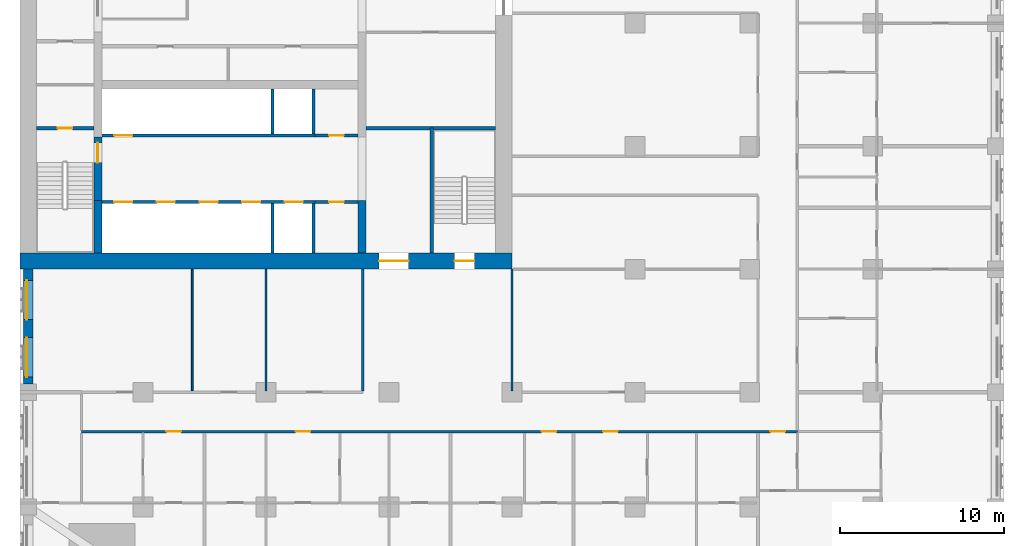
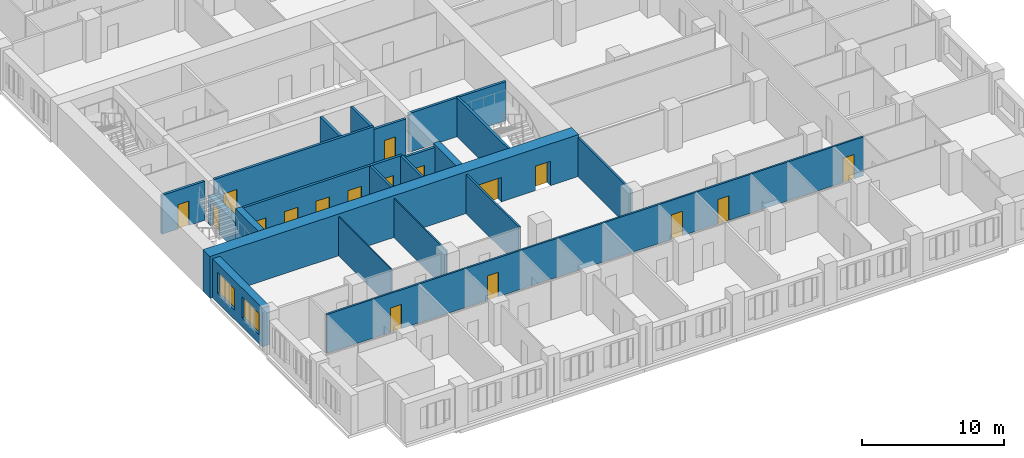
# One storey, part 5 of 14: 21 walls, 17 doors, 2 windows, 19 openings.
"""IFC4 building model written with IfcOpenShell, lengths in metres."""

from ifc_helpers import new_model, si_unit, direction, frame, frame_2d, origin, place, context, subcontext, project, spatial, rectangle, extrude, material, layer, layer_set, type_object, element, fill, save


model = new_model("IFC4")

# Units and contexts
model_context = context("Model", 3, precision=1e-05, world=origin(), true_north=direction((0.0, 1.0)))
body_context = subcontext(model_context, "Body", "Model", "MODEL_VIEW")
ifc_project = project(units=[si_unit("LENGTHUNIT", "METRE"), si_unit("AREAUNIT", "SQUARE_METRE"), si_unit("VOLUMEUNIT", "CUBIC_METRE"), si_unit("PLANEANGLEUNIT", "RADIAN"), si_unit("MASSUNIT", "GRAM", prefix="KILO")], contexts=[model_context])

# Site, building, storey
site_placement = place(None, origin())
site = spatial("IfcSite", under=ifc_project, at=site_placement, CompositionType="ELEMENT")
building_placement = place(site_placement, origin())
building = spatial("IfcBuilding", under=site, at=building_placement, Name="Tamorin Gate", CompositionType="ELEMENT")
storey_placement = place(building_placement, frame((0.0, 0.0, 41.199951171875)))
storey = spatial("IfcBuildingStorey", under=building, at=storey_placement, Name="L08", CompositionType="ELEMENT", Elevation=41.199951171875)

# Wall, openings, windows
ifc_material_1 = material(Name="Precast concrete C40/50", Category="concrete")
ifc_layer_1 = layer(ifc_material_1, 0.60009765625)
ifc_layer_set_1 = layer_set([ifc_layer_1], Name="Precast concrete C40/50")
wall_type_1 = type_object("IfcWallType", Name="Board-marked concrete facade panel 600", PredefinedType="SOLIDWALL", material=ifc_layer_set_1)
wall_1_placement = place(storey_placement, frame((30.5, 60.0, 0.0), z_axis=(0.0, 0.0, 1.0), x_axis=(0.0, -1.0, 0.0)))
wall_1 = element("IfcWall", 1, at=wall_1_placement, inside=storey, type_object=wall_type_1, Name="Facade panel", PredefinedType="SOLIDWALL", context=body_context, shape_type="SweptSolid", body=[
    extrude(rectangle(XDim=7.0, YDim=0.60009765625, at=frame_2d((3.5, 0.0))), origin(), (0.0, 0.0, 1.0), 3.35009765625),
])
opening_1_placement = place(wall_1_placement, frame((4.175048828125, 0.0, 0.800048828125)))
opening_1 = element("IfcOpeningElement", 2, at=opening_1_placement, cuts=wall_1, Name="Opening WN1", PredefinedType="OPENING", context=body_context, shape_type="SweptSolid", body=[
    extrude(rectangle(XDim=2.39990234375, YDim=1.800048828125, at=frame_2d((1.199951171875, 0.89990234375))), frame((0.0, 0.31005859375, 0.0), z_axis=(0.0, -1.0, 0.0), x_axis=(1.0, 0.0, 0.0)), (0.0, 0.0, 1.0), 0.6201171875),
])
opening_2_placement = place(wall_1_placement, frame((0.675048828125, 0.0, 0.800048828125)))
opening_2 = element("IfcOpeningElement", 3, at=opening_2_placement, cuts=wall_1, Name="Opening WN1", PredefinedType="OPENING", context=body_context, shape_type="SweptSolid", body=[
    extrude(rectangle(XDim=2.39990234375, YDim=1.800048828125, at=frame_2d((1.199951171875, 0.89990234375))), frame((0.0, 0.31005859375, 0.0), z_axis=(0.0, -1.0, 0.0), x_axis=(1.0, 0.0, 0.0)), (0.0, 0.0, 1.0), 0.6201171875),
])
ifc_material_2 = material(Name="Clear glass in aluminium frame", Category="aluminium")
window_type = type_object("IfcWindowType", Name="Deep-set window 2400x1800", PartitioningType="SINGLE_PANEL", PredefinedType="WINDOW", material=ifc_material_2)
window_1_placement = place(opening_1_placement, origin())
window_1 = element("IfcWindow", 4, at=window_1_placement, inside=storey, type_object=window_type, Name="Deep-set window", OverallHeight=1.800048828125, OverallWidth=2.39990234375, PartitioningType="SINGLE_PANEL", PredefinedType="WINDOW", context=body_context, shape_type="SweptSolid", body=[
    extrude(rectangle(XDim=2.39990234375, YDim=1.800048828125, at=frame_2d((1.199951171875, 0.89990234375))), frame((0.0, -0.070068359375, 0.0), z_axis=(0.0, -1.0, 0.0), x_axis=(1.0, 0.0, 0.0)), (0.0, 0.0, 1.0), 0.06005859375),
])
fill(opening_1, window_1)
window_2_placement = place(opening_2_placement, origin())
window_2 = element("IfcWindow", 5, at=window_2_placement, inside=storey, type_object=window_type, Name="Deep-set window", OverallHeight=1.800048828125, OverallWidth=2.39990234375, PartitioningType="SINGLE_PANEL", PredefinedType="WINDOW", context=body_context, shape_type="SweptSolid", body=[
    extrude(rectangle(XDim=2.39990234375, YDim=1.800048828125, at=frame_2d((1.199951171875, 0.89990234375))), frame((0.0, -0.070068359375, 0.0), z_axis=(0.0, -1.0, 0.0), x_axis=(1.0, 0.0, 0.0)), (0.0, 0.0, 1.0), 0.06005859375),
])
fill(opening_2, window_2)

# Wall, openings, doors
ifc_material_3 = material(Name="Gypsum board partition")
ifc_layer_2 = layer(ifc_material_3, 0.14990234375)
ifc_layer_set_2 = layer_set([ifc_layer_2], Name="Corridor wall 150")
wall_type_2 = type_object("IfcWallType", Name="Corridor wall 150", PredefinedType="PARTITIONING", material=ifc_layer_set_2)
wall_2_placement = place(storey_placement, frame((33.75, 50.10009765625, 0.0), z_axis=(0.0, 0.0, 1.0), x_axis=(1.0, 0.0, 0.0)))
wall_2 = element("IfcWall", 6, at=wall_2_placement, inside=storey, type_object=wall_type_2, Name="Corridor wall 150", PredefinedType="PARTITIONING", context=body_context, shape_type="SweptSolid", body=[
    extrude(rectangle(XDim=43.64990234375, YDim=0.14990234375, at=frame_2d((21.824951171875, 0.0))), origin(), (0.0, 0.0, 1.0), 3.35009765625),
])
opening_3_placement = place(wall_2_placement, frame((5.175048828125, 0.0, 0.0)))
opening_3 = element("IfcOpeningElement", 7, at=opening_3_placement, cuts=wall_2, Name="Opening DH3003", PredefinedType="OPENING", context=body_context, shape_type="SweptSolid", body=[
    extrude(rectangle(XDim=0.89990234375, YDim=2.10009765625, at=frame_2d((0.449951171875, 1.050048828125))), frame((0.0, 0.0849609375, 0.0), z_axis=(0.0, -1.0, 0.0), x_axis=(1.0, 0.0, 0.0)), (0.0, 0.0, 1.0), 0.169921875),
])
opening_4_placement = place(wall_2_placement, frame((13.050048828125, 0.0, 0.0)))
opening_4 = element("IfcOpeningElement", 8, at=opening_4_placement, cuts=wall_2, Name="Opening DH3006", PredefinedType="OPENING", context=body_context, shape_type="SweptSolid", body=[
    extrude(rectangle(XDim=0.89990234375, YDim=2.10009765625, at=frame_2d((0.449951171875, 1.050048828125))), frame((0.0, 0.0849609375, 0.0), z_axis=(0.0, -1.0, 0.0), x_axis=(1.0, 0.0, 0.0)), (0.0, 0.0, 1.0), 0.169921875),
])
opening_5_placement = place(wall_2_placement, frame((28.050048828125, 0.0, 0.0)))
opening_5 = element("IfcOpeningElement", 9, at=opening_5_placement, cuts=wall_2, Name="Opening DH3013", PredefinedType="OPENING", context=body_context, shape_type="SweptSolid", body=[
    extrude(rectangle(XDim=0.89990234375, YDim=2.10009765625, at=frame_2d((0.449951171875, 1.050048828125))), frame((0.0, 0.0849609375, 0.0), z_axis=(0.0, -1.0, 0.0), x_axis=(1.0, 0.0, 0.0)), (0.0, 0.0, 1.0), 0.169921875),
])
opening_6_placement = place(wall_2_placement, frame((31.800048828125, 0.0, 0.0)))
opening_6 = element("IfcOpeningElement", 10, at=opening_6_placement, cuts=wall_2, Name="Opening DH3015", PredefinedType="OPENING", context=body_context, shape_type="SweptSolid", body=[
    extrude(rectangle(XDim=0.89990234375, YDim=2.10009765625, at=frame_2d((0.449951171875, 1.050048828125))), frame((0.0, 0.0849609375, 0.0), z_axis=(0.0, -1.0, 0.0), x_axis=(1.0, 0.0, 0.0)), (0.0, 0.0, 1.0), 0.169921875),
])
opening_7_placement = place(wall_2_placement, frame((42.0, 0.0, 0.0)))
opening_7 = element("IfcOpeningElement", 11, at=opening_7_placement, cuts=wall_2, Name="Opening DH3061", PredefinedType="OPENING", context=body_context, shape_type="SweptSolid", body=[
    extrude(rectangle(XDim=0.89990234375, YDim=2.10009765625, at=frame_2d((0.449951171875, 1.050048828125))), frame((0.0, 0.0849609375, 0.0), z_axis=(0.0, -1.0, 0.0), x_axis=(1.0, 0.0, 0.0)), (0.0, 0.0, 1.0), 0.169921875),
])
ifc_material_4 = material(Name="Timber door leaf", Category="wood")
door_type_1 = type_object("IfcDoorType", Name="Door 900 x 2100 FD30S", OperationType="NOTDEFINED", PredefinedType="DOOR", material=ifc_material_4)
door_1_placement = place(opening_3_placement, origin())
door_1 = element("IfcDoor", 12, at=door_1_placement, inside=storey, type_object=door_type_1, Name="Door DH3003", OperationType="SINGLE_SWING_RIGHT", OverallHeight=2.10009765625, OverallWidth=0.89990234375, PredefinedType="DOOR", context=body_context, shape_type="SweptSolid", body=[
    extrude(rectangle(XDim=0.89990234375, YDim=2.10009765625, at=frame_2d((0.449951171875, 1.050048828125))), frame((0.0, 0.02490234375, 0.0), z_axis=(0.0, -1.0, 0.0), x_axis=(1.0, 0.0, 0.0)), (0.0, 0.0, 1.0), 0.050048828125),
])
fill(opening_3, door_1)
door_2_placement = place(opening_4_placement, origin())
door_2 = element("IfcDoor", 13, at=door_2_placement, inside=storey, type_object=door_type_1, Name="Door DH3006", OperationType="SINGLE_SWING_RIGHT", OverallHeight=2.10009765625, OverallWidth=0.89990234375, PredefinedType="DOOR", context=body_context, shape_type="SweptSolid", body=[
    extrude(rectangle(XDim=0.89990234375, YDim=2.10009765625, at=frame_2d((0.449951171875, 1.050048828125))), frame((0.0, 0.02490234375, 0.0), z_axis=(0.0, -1.0, 0.0), x_axis=(1.0, 0.0, 0.0)), (0.0, 0.0, 1.0), 0.050048828125),
])
fill(opening_4, door_2)
door_3_placement = place(opening_5_placement, origin())
door_3 = element("IfcDoor", 14, at=door_3_placement, inside=storey, type_object=door_type_1, Name="Door DH3013", OperationType="SINGLE_SWING_RIGHT", OverallHeight=2.10009765625, OverallWidth=0.89990234375, PredefinedType="DOOR", context=body_context, shape_type="SweptSolid", body=[
    extrude(rectangle(XDim=0.89990234375, YDim=2.10009765625, at=frame_2d((0.449951171875, 1.050048828125))), frame((0.0, 0.02490234375, 0.0), z_axis=(0.0, -1.0, 0.0), x_axis=(1.0, 0.0, 0.0)), (0.0, 0.0, 1.0), 0.050048828125),
])
fill(opening_5, door_3)
door_4_placement = place(opening_6_placement, origin())
door_4 = element("IfcDoor", 15, at=door_4_placement, inside=storey, type_object=door_type_1, Name="Door DH3015", OperationType="SINGLE_SWING_RIGHT", OverallHeight=2.10009765625, OverallWidth=0.89990234375, PredefinedType="DOOR", context=body_context, shape_type="SweptSolid", body=[
    extrude(rectangle(XDim=0.89990234375, YDim=2.10009765625, at=frame_2d((0.449951171875, 1.050048828125))), frame((0.0, 0.02490234375, 0.0), z_axis=(0.0, -1.0, 0.0), x_axis=(1.0, 0.0, 0.0)), (0.0, 0.0, 1.0), 0.050048828125),
])
fill(opening_6, door_4)
door_5_placement = place(opening_7_placement, origin())
door_5 = element("IfcDoor", 16, at=door_5_placement, inside=storey, type_object=door_type_1, Name="Door DH3061", OperationType="SINGLE_SWING_LEFT", OverallHeight=2.10009765625, OverallWidth=0.89990234375, PredefinedType="DOOR", context=body_context, shape_type="SweptSolid", body=[
    extrude(rectangle(XDim=0.89990234375, YDim=2.10009765625, at=frame_2d((0.449951171875, 1.050048828125))), frame((0.0, 0.02490234375, 0.0), z_axis=(0.0, -1.0, 0.0), x_axis=(1.0, 0.0, 0.0)), (0.0, 0.0, 1.0), 0.050048828125),
])
fill(opening_7, door_5)

ifc_material_5 = material(Name="Concrete C32/40", Category="concrete")
ifc_layer_3 = layer(ifc_material_5, 0.199951171875)
ifc_layer_set_3 = layer_set([ifc_layer_3], Name="Lift lobby face wall 200 EI 120")
wall_type_3 = type_object("IfcWallType", Name="Lift lobby face wall 200 EI 120", PredefinedType="SOLIDWALL", material=ifc_layer_set_3)
wall_3_placement = place(storey_placement, frame((35.0, 64.10009765625, 0.0), z_axis=(0.0, 0.0, 1.0), x_axis=(1.0, 0.0, 0.0)))
wall_3 = element("IfcWall", 17, at=wall_3_placement, inside=storey, type_object=wall_type_3, Name="Lift lobby face wall", PredefinedType="SOLIDWALL", context=body_context, shape_type="SweptSolid", body=[
    extrude(rectangle(XDim=13.0, YDim=0.199951171875, at=frame_2d((6.5, 0.0))), origin(), (0.0, 0.0, 1.0), 3.60009765625),
])
opening_8_placement = place(wall_3_placement, frame((0.75, 0.0, 0.0)))
opening_8 = element("IfcOpeningElement", 18, at=opening_8_placement, cuts=wall_3, Name="Opening LD1", PredefinedType="OPENING", context=body_context, shape_type="SweptSolid", body=[
    extrude(rectangle(XDim=1.10009765625, YDim=2.10009765625, at=frame_2d((0.550048828125, 1.050048828125))), frame((0.0, 0.10986328125, 0.0), z_axis=(0.0, -1.0, 0.0), x_axis=(1.0, 0.0, 0.0)), (0.0, 0.0, 1.0), 0.219970703125),
])
opening_9_placement = place(wall_3_placement, frame((3.35009765625, 0.0, 0.0)))
opening_9 = element("IfcOpeningElement", 19, at=opening_9_placement, cuts=wall_3, Name="Opening LD2", PredefinedType="OPENING", context=body_context, shape_type="SweptSolid", body=[
    extrude(rectangle(XDim=1.10009765625, YDim=2.10009765625, at=frame_2d((0.550048828125, 1.050048828125))), frame((0.0, 0.10986328125, 0.0), z_axis=(0.0, -1.0, 0.0), x_axis=(1.0, 0.0, 0.0)), (0.0, 0.0, 1.0), 0.219970703125),
])
opening_10_placement = place(wall_3_placement, frame((5.949951171875, 0.0, 0.0)))
opening_10 = element("IfcOpeningElement", 20, at=opening_10_placement, cuts=wall_3, Name="Opening LD3", PredefinedType="OPENING", context=body_context, shape_type="SweptSolid", body=[
    extrude(rectangle(XDim=1.10009765625, YDim=2.10009765625, at=frame_2d((0.550048828125, 1.050048828125))), frame((0.0, 0.10986328125, 0.0), z_axis=(0.0, -1.0, 0.0), x_axis=(1.0, 0.0, 0.0)), (0.0, 0.0, 1.0), 0.219970703125),
])
opening_11_placement = place(wall_3_placement, frame((8.550048828125, 0.0, 0.0)))
opening_11 = element("IfcOpeningElement", 21, at=opening_11_placement, cuts=wall_3, Name="Opening LD4", PredefinedType="OPENING", context=body_context, shape_type="SweptSolid", body=[
    extrude(rectangle(XDim=1.10009765625, YDim=2.10009765625, at=frame_2d((0.550048828125, 1.050048828125))), frame((0.0, 0.10986328125, 0.0), z_axis=(0.0, -1.0, 0.0), x_axis=(1.0, 0.0, 0.0)), (0.0, 0.0, 1.0), 0.219970703125),
])
opening_12_placement = place(wall_3_placement, frame((11.14990234375, 0.0, 0.0)))
opening_12 = element("IfcOpeningElement", 22, at=opening_12_placement, cuts=wall_3, Name="Opening LD5", PredefinedType="OPENING", context=body_context, shape_type="SweptSolid", body=[
    extrude(rectangle(XDim=1.10009765625, YDim=2.10009765625, at=frame_2d((0.550048828125, 1.050048828125))), frame((0.0, 0.10986328125, 0.0), z_axis=(0.0, -1.0, 0.0), x_axis=(1.0, 0.0, 0.0)), (0.0, 0.0, 1.0), 0.219970703125),
])
ifc_material_6 = material(Name="Stainless steel sliding door", Category="steel")
door_type_2 = type_object("IfcDoorType", Name="Lift landing door 1100 x 2100 E 90", OperationType="DOUBLE_DOOR_SLIDING", PredefinedType="DOOR", material=ifc_material_6)
door_6_placement = place(opening_8_placement, origin())
door_6 = element("IfcDoor", 23, at=door_6_placement, inside=storey, type_object=door_type_2, Name="LR1 landing door", OperationType="DOUBLE_DOOR_SLIDING", OverallHeight=2.10009765625, OverallWidth=1.10009765625, PredefinedType="DOOR", context=body_context, shape_type="SweptSolid", body=[
    extrude(rectangle(XDim=1.10009765625, YDim=2.10009765625, at=frame_2d((0.550048828125, 1.050048828125))), frame((0.0, 0.02490234375, 0.0), z_axis=(0.0, -1.0, 0.0), x_axis=(1.0, 0.0, 0.0)), (0.0, 0.0, 1.0), 0.050048828125),
])
fill(opening_8, door_6)
door_7_placement = place(opening_9_placement, origin())
door_7 = element("IfcDoor", 24, at=door_7_placement, inside=storey, type_object=door_type_2, Name="LR2 landing door", OperationType="DOUBLE_DOOR_SLIDING", OverallHeight=2.10009765625, OverallWidth=1.10009765625, PredefinedType="DOOR", context=body_context, shape_type="SweptSolid", body=[
    extrude(rectangle(XDim=1.10009765625, YDim=2.10009765625, at=frame_2d((0.550048828125, 1.050048828125))), frame((0.0, 0.02490234375, 0.0), z_axis=(0.0, -1.0, 0.0), x_axis=(1.0, 0.0, 0.0)), (0.0, 0.0, 1.0), 0.050048828125),
])
fill(opening_9, door_7)
door_8_placement = place(opening_10_placement, origin())
door_8 = element("IfcDoor", 25, at=door_8_placement, inside=storey, type_object=door_type_2, Name="LR3 landing door", OperationType="DOUBLE_DOOR_SLIDING", OverallHeight=2.10009765625, OverallWidth=1.10009765625, PredefinedType="DOOR", context=body_context, shape_type="SweptSolid", body=[
    extrude(rectangle(XDim=1.10009765625, YDim=2.10009765625, at=frame_2d((0.550048828125, 1.050048828125))), frame((0.0, 0.02490234375, 0.0), z_axis=(0.0, -1.0, 0.0), x_axis=(1.0, 0.0, 0.0)), (0.0, 0.0, 1.0), 0.050048828125),
])
fill(opening_10, door_8)
door_9_placement = place(opening_11_placement, origin())
door_9 = element("IfcDoor", 26, at=door_9_placement, inside=storey, type_object=door_type_2, Name="LR4 landing door", OperationType="DOUBLE_DOOR_SLIDING", OverallHeight=2.10009765625, OverallWidth=1.10009765625, PredefinedType="DOOR", context=body_context, shape_type="SweptSolid", body=[
    extrude(rectangle(XDim=1.10009765625, YDim=2.10009765625, at=frame_2d((0.550048828125, 1.050048828125))), frame((0.0, 0.02490234375, 0.0), z_axis=(0.0, -1.0, 0.0), x_axis=(1.0, 0.0, 0.0)), (0.0, 0.0, 1.0), 0.050048828125),
])
fill(opening_11, door_9)
door_10_placement = place(opening_12_placement, origin())
door_10 = element("IfcDoor", 27, at=door_10_placement, inside=storey, type_object=door_type_2, Name="LR5 landing door", OperationType="DOUBLE_DOOR_SLIDING", OverallHeight=2.10009765625, OverallWidth=1.10009765625, PredefinedType="DOOR", context=body_context, shape_type="SweptSolid", body=[
    extrude(rectangle(XDim=1.10009765625, YDim=2.10009765625, at=frame_2d((0.550048828125, 1.050048828125))), frame((0.0, 0.02490234375, 0.0), z_axis=(0.0, -1.0, 0.0), x_axis=(1.0, 0.0, 0.0)), (0.0, 0.0, 1.0), 0.050048828125),
])
fill(opening_12, door_10)

# Wall, opening, door
wall_4_placement = place(storey_placement, frame((35.0, 68.14990234375, 0.0), z_axis=(0.0, 0.0, 1.0), x_axis=(1.0, 0.0, 0.0)))
wall_4 = element("IfcWall", 28, at=wall_4_placement, inside=storey, type_object=wall_type_3, Name="Lift lobby face wall", PredefinedType="SOLIDWALL", context=body_context, shape_type="SweptSolid", body=[
    extrude(rectangle(XDim=13.0, YDim=0.199951171875, at=frame_2d((6.5, 0.0))), origin(), (0.0, 0.0, 1.0), 3.60009765625),
])
opening_13_placement = place(wall_4_placement, frame((0.75, 0.0, 0.0)))
opening_13 = element("IfcOpeningElement", 29, at=opening_13_placement, cuts=wall_4, Name="Opening LD6", PredefinedType="OPENING", context=body_context, shape_type="SweptSolid", body=[
    extrude(rectangle(XDim=1.10009765625, YDim=2.10009765625, at=frame_2d((0.550048828125, 1.050048828125))), frame((0.0, 0.10986328125, 0.0), z_axis=(0.0, -1.0, 0.0), x_axis=(1.0, 0.0, 0.0)), (0.0, 0.0, 1.0), 0.219970703125),
])
door_11_placement = place(opening_13_placement, origin())
door_11 = element("IfcDoor", 30, at=door_11_placement, inside=storey, type_object=door_type_2, Name="LR6 landing door", OperationType="DOUBLE_DOOR_SLIDING", OverallHeight=2.10009765625, OverallWidth=1.10009765625, PredefinedType="DOOR", context=body_context, shape_type="SweptSolid", body=[
    extrude(rectangle(XDim=1.10009765625, YDim=2.10009765625, at=frame_2d((0.550048828125, 1.050048828125))), frame((0.0, 0.02490234375, 0.0), z_axis=(0.0, -1.0, 0.0), x_axis=(1.0, 0.0, 0.0)), (0.0, 0.0, 1.0), 0.050048828125),
])
fill(opening_13, door_11)

# Walls
ifc_layer_4 = layer(ifc_material_5, 0.199951171875)
ifc_layer_set_4 = layer_set([ifc_layer_4], Name="Lift shaft wall 200 EI 120")
wall_type_4 = type_object("IfcWallType", Name="Lift shaft wall 200 EI 120", PredefinedType="SOLIDWALL", material=ifc_layer_set_4)
for number, where, z_axis, x_axis, name in (
    (31, (45.39990234375, 61.0, 0.0), (0.0, 0.0, 1.0), (0.0, 1.0, 0.0), "Lift shaft wall"),
    (32, (47.89990234375, 61.0, 0.0), (0.0, 0.0, 1.0), (0.0, 1.0, 0.0), "Lift shaft wall"),
):
    element("IfcWall", number, at=place(storey_placement, frame(where, z_axis=z_axis, x_axis=x_axis)), inside=storey, type_object=wall_type_4, Name=name, PredefinedType="SOLIDWALL", context=body_context, shape_type="SweptSolid", body=[
        extrude(rectangle(XDim=3.0, YDim=0.199951171875, at=frame_2d((1.5, 0.0))), origin(), (0.0, 0.0, 1.0), 3.60009765625),
    ])
for number, where, z_axis, x_axis, name in (
    (33, (45.39990234375, 68.25, 0.0), (0.0, 0.0, 1.0), (0.0, 1.0, 0.0), "Lift shaft wall"),
    (34, (47.89990234375, 68.25, 0.0), (0.0, 0.0, 1.0), (0.0, 1.0, 0.0), "Lift shaft wall"),
):
    element("IfcWall", number, at=place(storey_placement, frame(where, z_axis=z_axis, x_axis=x_axis)), inside=storey, type_object=wall_type_4, Name=name, PredefinedType="SOLIDWALL", context=body_context, shape_type="SweptSolid", body=[
        extrude(rectangle(XDim=2.75, YDim=0.199951171875, at=frame_2d((1.375, 0.0))), origin(), (0.0, 0.0, 1.0), 3.60009765625),
    ])
ifc_layer_5 = layer(ifc_material_3, 0.14990234375)
ifc_layer_set_5 = layer_set([ifc_layer_5], Name="Lobby wall 150")
wall_type_5 = type_object("IfcWallType", Name="Lobby wall 150", PredefinedType="PARTITIONING", material=ifc_layer_set_5)
for number, where, z_axis, x_axis, name in (
    (35, (50.89990234375, 52.574951171875, 0.0), (0.0, 0.0, 1.0), (0.0, 1.0, 0.0), "Lobby wall 150"),
    (36, (60.0, 52.574951171875, 0.0), (0.0, 0.0, 1.0), (0.0, 1.0, 0.0), "Lobby wall 150"),
):
    element("IfcWall", number, at=place(storey_placement, frame(where, z_axis=z_axis, x_axis=x_axis)), inside=storey, type_object=wall_type_5, Name=name, PredefinedType="PARTITIONING", context=body_context, shape_type="SweptSolid", body=[
        extrude(rectangle(XDim=7.425048828125, YDim=0.14990234375, at=frame_2d((3.71240234375, 0.0))), origin(), (0.0, 0.0, 1.0), 3.35009765625),
    ])
ifc_material_7 = material(Name="Concrete C80/95", Category="concrete")
ifc_layer_6 = layer(ifc_material_7, 0.5)
ifc_layer_set_6 = layer_set([ifc_layer_6], Name="RC core internal wall 500 C80/95")
wall_type_6 = type_object("IfcWallType", Name="RC core internal wall 500 C80/95", PredefinedType="SHEAR", material=ifc_layer_set_6)
for number, where, z_axis, x_axis, name in (
    (37, (34.75, 61.0, 0.0), (0.0, 0.0, 1.0), (0.0, 1.0, 0.0), "Core cross wall L08"),
    (38, (50.85009765625, 61.0, 0.0), (0.0, 0.0, 1.0), (0.0, 1.0, 0.0), "Core cross wall L08"),
):
    element("IfcWall", number, at=place(storey_placement, frame(where, z_axis=z_axis, x_axis=x_axis)), inside=storey, type_object=wall_type_6, Name=name, PredefinedType="SHEAR", context=body_context, shape_type="SweptSolid", body=[
        extrude(rectangle(XDim=3.199951171875, YDim=0.5, at=frame_2d((1.60009765625, 0.0))), origin(), (0.0, 0.0, 1.0), 3.60009765625),
    ])

# Wall, openings, doors
ifc_layer_7 = layer(ifc_material_7, 1.0)
ifc_layer_set_7 = layer_set([ifc_layer_7], Name="RC core wall 1000 C80/95")
wall_type_7 = type_object("IfcWallType", Name="RC core wall 1000 C80/95", PredefinedType="SHEAR", material=ifc_layer_set_7)
wall_5_placement = place(storey_placement, frame((30.0, 60.5, 0.0), z_axis=(0.0, 0.0, 1.0), x_axis=(1.0, 0.0, 0.0)))
wall_5 = element("IfcWall", 39, at=wall_5_placement, inside=storey, type_object=wall_type_7, Name="Core wall L08", PredefinedType="SHEAR", context=body_context, shape_type="SweptSolid", body=[
    extrude(rectangle(XDim=30.0, YDim=1.0, at=frame_2d((15.0, 0.0))), origin(), (0.0, 0.0, 1.0), 3.60009765625),
])
opening_14_placement = place(wall_5_placement, frame((21.89990234375, 0.0, 0.0)))
opening_14 = element("IfcOpeningElement", 40, at=opening_14_placement, cuts=wall_5, Name="Opening DE1", PredefinedType="OPENING", context=body_context, shape_type="SweptSolid", body=[
    extrude(rectangle(XDim=1.800048828125, YDim=2.10009765625, at=frame_2d((0.89990234375, 1.050048828125))), frame((0.0, 0.510009765625, 0.0), z_axis=(0.0, -1.0, 0.0), x_axis=(1.0, 0.0, 0.0)), (0.0, 0.0, 1.0), 1.02001953125),
])
opening_15_placement = place(wall_5_placement, frame((26.5, 0.0, 0.0)))
opening_15 = element("IfcOpeningElement", 41, at=opening_15_placement, cuts=wall_5, Name="Opening DS1", PredefinedType="OPENING", context=body_context, shape_type="SweptSolid", body=[
    extrude(rectangle(XDim=1.199951171875, YDim=2.10009765625, at=frame_2d((0.60009765625, 1.050048828125))), frame((0.0, 0.510009765625, 0.0), z_axis=(0.0, -1.0, 0.0), x_axis=(1.0, 0.0, 0.0)), (0.0, 0.0, 1.0), 1.02001953125),
])
ifc_material_8 = material(Name="Steel fire door", Category="steel")
door_type_3 = type_object("IfcDoorType", Name="Lobby exit double door 1800 x 2100 EI 60", OperationType="DOUBLE_DOOR_SINGLE_SWING", PredefinedType="DOOR", material=ifc_material_8)
door_12_placement = place(opening_14_placement, origin())
door_12 = element("IfcDoor", 42, at=door_12_placement, inside=storey, type_object=door_type_3, Name="Lift lobby A exit door", OperationType="DOUBLE_DOOR_SINGLE_SWING", OverallHeight=2.10009765625, OverallWidth=1.800048828125, PredefinedType="DOOR", context=body_context, shape_type="SweptSolid", body=[
    extrude(rectangle(XDim=1.800048828125, YDim=2.10009765625, at=frame_2d((0.89990234375, 1.050048828125))), frame((0.0, 0.02490234375, 0.0), z_axis=(0.0, -1.0, 0.0), x_axis=(1.0, 0.0, 0.0)), (0.0, 0.0, 1.0), 0.050048828125),
])
fill(opening_14, door_12)
door_type_4 = type_object("IfcDoorType", Name="Stair door 1200 x 2100 EI 90", OperationType="SINGLE_SWING_LEFT", PredefinedType="DOOR", material=ifc_material_8)
door_13_placement = place(opening_15_placement, origin())
door_13 = element("IfcDoor", 43, at=door_13_placement, inside=storey, type_object=door_type_4, Name="ST3 door", OperationType="SINGLE_SWING_LEFT", OverallHeight=2.10009765625, OverallWidth=1.199951171875, PredefinedType="DOOR", context=body_context, shape_type="SweptSolid", body=[
    extrude(rectangle(XDim=1.199951171875, YDim=2.10009765625, at=frame_2d((0.60009765625, 1.050048828125))), frame((0.0, 0.02490234375, 0.0), z_axis=(0.0, -1.0, 0.0), x_axis=(1.0, 0.0, 0.0)), (0.0, 0.0, 1.0), 0.050048828125),
])
fill(opening_15, door_13)

# Walls
ifc_layer_8 = layer(ifc_material_3, 0.10009765625)
ifc_layer_set_8 = layer_set([ifc_layer_8], Name="Room partition 100")
wall_type_8 = type_object("IfcWallType", Name="Room partition 100", PredefinedType="PARTITIONING", material=ifc_layer_set_8)
for number, where, z_axis, x_axis, name in (
    (44, (40.5, 52.574951171875, 0.0), (0.0, 0.0, 1.0), (0.0, 1.0, 0.0), "Room partition 100"),
    (45, (45.0, 52.574951171875, 0.0), (0.0, 0.0, 1.0), (0.0, 1.0, 0.0), "Room partition 100"),
):
    element("IfcWall", number, at=place(storey_placement, frame(where, z_axis=z_axis, x_axis=x_axis)), inside=storey, type_object=wall_type_8, Name=name, PredefinedType="PARTITIONING", context=body_context, shape_type="SweptSolid", body=[
        extrude(rectangle(XDim=7.425048828125, YDim=0.10009765625, at=frame_2d((3.71240234375, 0.0))), origin(), (0.0, 0.0, 1.0), 3.35009765625),
    ])

# Wall, opening, door
ifc_layer_9 = layer(ifc_material_3, 0.199951171875)
ifc_layer_set_9 = layer_set([ifc_layer_9], Name="Service room face wall 200 EI 60")
wall_type_9 = type_object("IfcWallType", Name="Service room face wall 200 EI 60", PredefinedType="PARTITIONING", material=ifc_layer_set_9)
wall_6_placement = place(storey_placement, frame((48.0, 64.10009765625, 0.0), z_axis=(0.0, 0.0, 1.0), x_axis=(1.0, 0.0, 0.0)))
wall_6 = element("IfcWall", 46, at=wall_6_placement, inside=storey, type_object=wall_type_9, Name="Service room face wall", PredefinedType="PARTITIONING", context=body_context, shape_type="SweptSolid", body=[
    extrude(rectangle(XDim=2.60009765625, YDim=0.199951171875, at=frame_2d((1.300048828125, 0.0))), origin(), (0.0, 0.0, 1.0), 3.35009765625),
])
opening_16_placement = place(wall_6_placement, frame((0.85009765625, 0.0, 0.0)))
opening_16 = element("IfcOpeningElement", 47, at=opening_16_placement, cuts=wall_6, Name="Opening DK1", PredefinedType="OPENING", context=body_context, shape_type="SweptSolid", body=[
    extrude(rectangle(XDim=0.89990234375, YDim=2.10009765625, at=frame_2d((0.449951171875, 1.050048828125))), frame((0.0, 0.10986328125, 0.0), z_axis=(0.0, -1.0, 0.0), x_axis=(1.0, 0.0, 0.0)), (0.0, 0.0, 1.0), 0.219970703125),
])
ifc_material_9 = material(Name="Timber fire door", Category="wood")
door_type_5 = type_object("IfcDoorType", Name="Service room door 900 x 2100 EI 60", OperationType="SINGLE_SWING_LEFT", PredefinedType="DOOR", material=ifc_material_9)
door_14_placement = place(opening_16_placement, origin())
door_14 = element("IfcDoor", 48, at=door_14_placement, inside=storey, type_object=door_type_5, Name="Door Laundry store", OperationType="SINGLE_SWING_RIGHT", OverallHeight=2.10009765625, OverallWidth=0.89990234375, PredefinedType="DOOR", context=body_context, shape_type="SweptSolid", body=[
    extrude(rectangle(XDim=0.89990234375, YDim=2.10009765625, at=frame_2d((0.449951171875, 1.050048828125))), frame((0.0, 0.02490234375, 0.0), z_axis=(0.0, -1.0, 0.0), x_axis=(1.0, 0.0, 0.0)), (0.0, 0.0, 1.0), 0.050048828125),
])
fill(opening_16, door_14)

wall_7_placement = place(storey_placement, frame((48.0, 68.14990234375, 0.0), z_axis=(0.0, 0.0, 1.0), x_axis=(1.0, 0.0, 0.0)))
wall_7 = element("IfcWall", 49, at=wall_7_placement, inside=storey, type_object=wall_type_9, Name="Service room face wall", PredefinedType="PARTITIONING", context=body_context, shape_type="SweptSolid", body=[
    extrude(rectangle(XDim=2.60009765625, YDim=0.199951171875, at=frame_2d((1.300048828125, 0.0))), origin(), (0.0, 0.0, 1.0), 3.35009765625),
])
opening_17_placement = place(wall_7_placement, frame((0.85009765625, 0.0, 0.0)))
opening_17 = element("IfcOpeningElement", 50, at=opening_17_placement, cuts=wall_7, Name="Opening DK1", PredefinedType="OPENING", context=body_context, shape_type="SweptSolid", body=[
    extrude(rectangle(XDim=0.89990234375, YDim=2.10009765625, at=frame_2d((0.449951171875, 1.050048828125))), frame((0.0, 0.10986328125, 0.0), z_axis=(0.0, -1.0, 0.0), x_axis=(1.0, 0.0, 0.0)), (0.0, 0.0, 1.0), 0.219970703125),
])
door_15_placement = place(opening_17_placement, origin())
door_15 = element("IfcDoor", 51, at=door_15_placement, inside=storey, type_object=door_type_5, Name="Door Luggage store", OperationType="SINGLE_SWING_RIGHT", OverallHeight=2.10009765625, OverallWidth=0.89990234375, PredefinedType="DOOR", context=body_context, shape_type="SweptSolid", body=[
    extrude(rectangle(XDim=0.89990234375, YDim=2.10009765625, at=frame_2d((0.449951171875, 1.050048828125))), frame((0.0, 0.02490234375, 0.0), z_axis=(0.0, -1.0, 0.0), x_axis=(1.0, 0.0, 0.0)), (0.0, 0.0, 1.0), 0.050048828125),
])
fill(opening_17, door_15)

ifc_material_10 = material(Name="Concrete C40/50", Category="concrete")
ifc_layer_10 = layer(ifc_material_10, 0.199951171875)
ifc_layer_set_10 = layer_set([ifc_layer_10], Name="Stair enclosure wall 200 EI 120 C40/50")
wall_type_10 = type_object("IfcWallType", Name="Stair enclosure wall 200 EI 120 C40/50", PredefinedType="SOLIDWALL", material=ifc_layer_set_10)
wall_8_placement = place(storey_placement, frame((31.0, 68.60009765625, 0.0), z_axis=(0.0, 0.0, 1.0), x_axis=(1.0, 0.0, 0.0)))
wall_8 = element("IfcWall", 52, at=wall_8_placement, inside=storey, type_object=wall_type_10, Name="Stair enclosure wall", PredefinedType="SOLIDWALL", context=body_context, shape_type="SweptSolid", body=[
    extrude(rectangle(XDim=3.5, YDim=0.199951171875, at=frame_2d((1.75, 0.0))), origin(), (0.0, 0.0, 1.0), 3.35009765625),
])
opening_18_placement = place(wall_8_placement, frame((1.300048828125, 0.0, 0.0)))
opening_18 = element("IfcOpeningElement", 53, at=opening_18_placement, cuts=wall_8, Name="Opening DR1", PredefinedType="OPENING", context=body_context, shape_type="SweptSolid", body=[
    extrude(rectangle(XDim=0.89990234375, YDim=2.10009765625, at=frame_2d((0.449951171875, 1.050048828125))), frame((0.0, 0.10986328125, 0.0), z_axis=(0.0, -1.0, 0.0), x_axis=(1.0, 0.0, 0.0)), (0.0, 0.0, 1.0), 0.219970703125),
])
door_type_6 = type_object("IfcDoorType", Name="Riser access door 900 x 2100 EI 120", OperationType="SINGLE_SWING_LEFT", PredefinedType="DOOR", material=ifc_material_8)
door_16_placement = place(opening_18_placement, origin())
door_16 = element("IfcDoor", 54, at=door_16_placement, inside=storey, type_object=door_type_6, Name="Electrical riser door", OperationType="SINGLE_SWING_LEFT", OverallHeight=2.10009765625, OverallWidth=0.89990234375, PredefinedType="DOOR", context=body_context, shape_type="SweptSolid", body=[
    extrude(rectangle(XDim=0.89990234375, YDim=2.10009765625, at=frame_2d((0.449951171875, 1.050048828125))), frame((0.0, 0.02490234375, 0.0), z_axis=(0.0, -1.0, 0.0), x_axis=(1.0, 0.0, 0.0)), (0.0, 0.0, 1.0), 0.050048828125),
])
fill(opening_18, door_16)

# Walls
wall_9_placement = place(storey_placement, frame((55.10009765625, 61.0, 0.0), z_axis=(0.0, 0.0, 1.0), x_axis=(0.0, 1.0, 0.0)))
element("IfcWall", 55, at=wall_9_placement, inside=storey, type_object=wall_type_10, Name="Stair enclosure wall", PredefinedType="SOLIDWALL", context=body_context, shape_type="SweptSolid", body=[
    extrude(rectangle(XDim=7.60009765625, YDim=0.199951171875, at=frame_2d((3.800048828125, 0.0))), origin(), (0.0, 0.0, 1.0), 3.35009765625),
])
wall_10_placement = place(storey_placement, frame((51.10009765625, 68.60009765625, 0.0), z_axis=(0.0, 0.0, 1.0), x_axis=(1.0, 0.0, 0.0)))
element("IfcWall", 56, at=wall_10_placement, inside=storey, type_object=wall_type_10, Name="Stair enclosure wall", PredefinedType="SOLIDWALL", context=body_context, shape_type="SweptSolid", body=[
    extrude(rectangle(XDim=7.89990234375, YDim=0.199951171875, at=frame_2d((3.949951171875, 0.0))), origin(), (0.0, 0.0, 1.0), 3.35009765625),
])

# Wall, opening, door
ifc_layer_11 = layer(ifc_material_5, 0.5)
ifc_layer_set_11 = layer_set([ifc_layer_11], Name="Stair lobby infill wall 500 EI 120")
wall_type_11 = type_object("IfcWallType", Name="Stair lobby infill wall 500 EI 120", PredefinedType="SOLIDWALL", material=ifc_layer_set_11)
wall_11_placement = place(storey_placement, frame((34.75, 64.199951171875, 0.0), z_axis=(0.0, 0.0, 1.0), x_axis=(0.0, 1.0, 0.0)))
wall_11 = element("IfcWall", 57, at=wall_11_placement, inside=storey, type_object=wall_type_11, Name="Stair lobby infill wall", PredefinedType="SOLIDWALL", context=body_context, shape_type="SweptSolid", body=[
    extrude(rectangle(XDim=3.85009765625, YDim=0.5, at=frame_2d((1.925048828125, 0.0))), origin(), (0.0, 0.0, 1.0), 2.400146484375),
])
opening_19_placement = place(wall_11_placement, frame((2.300048828125, 0.0, 0.0)))
opening_19 = element("IfcOpeningElement", 58, at=opening_19_placement, cuts=wall_11, Name="Opening DS1", PredefinedType="OPENING", context=body_context, shape_type="SweptSolid", body=[
    extrude(rectangle(XDim=1.199951171875, YDim=2.10009765625, at=frame_2d((0.60009765625, 1.050048828125))), frame((0.0, 0.260009765625, 0.0), z_axis=(0.0, -1.0, 0.0), x_axis=(1.0, 0.0, 0.0)), (0.0, 0.0, 1.0), 0.52001953125),
])
door_17_placement = place(opening_19_placement, origin())
door_17 = element("IfcDoor", 59, at=door_17_placement, inside=storey, type_object=door_type_4, Name="ST1 door", OperationType="SINGLE_SWING_LEFT", OverallHeight=2.10009765625, OverallWidth=1.199951171875, PredefinedType="DOOR", context=body_context, shape_type="SweptSolid", body=[
    extrude(rectangle(XDim=1.199951171875, YDim=2.10009765625, at=frame_2d((0.60009765625, 1.050048828125))), frame((0.0, 0.02490234375, 0.0), z_axis=(0.0, -1.0, 0.0), x_axis=(1.0, 0.0, 0.0)), (0.0, 0.0, 1.0), 0.050048828125),
])
fill(opening_19, door_17)

save(model, "model.ifc")
